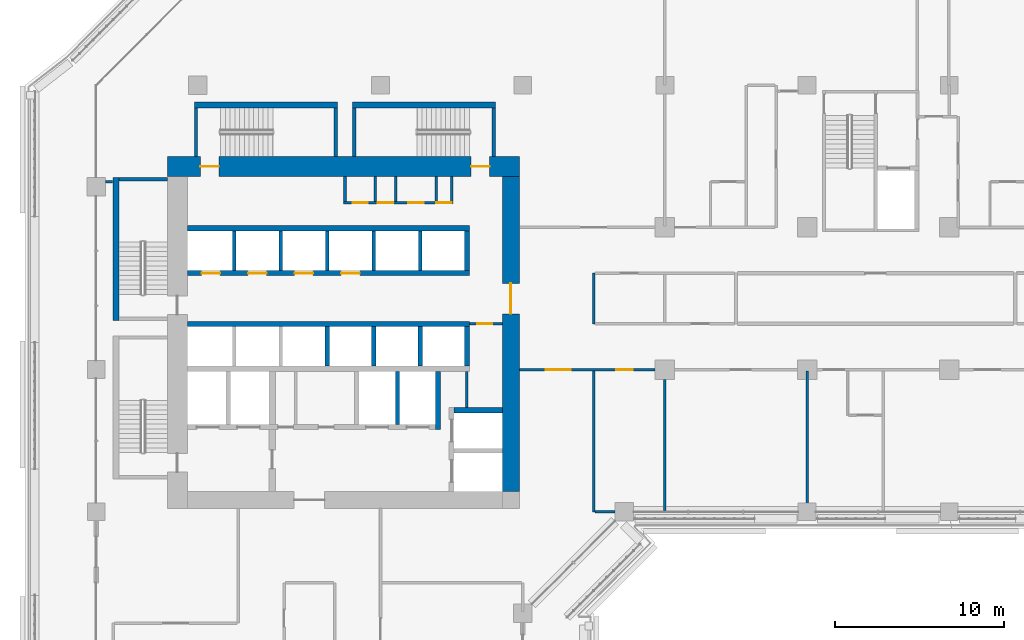
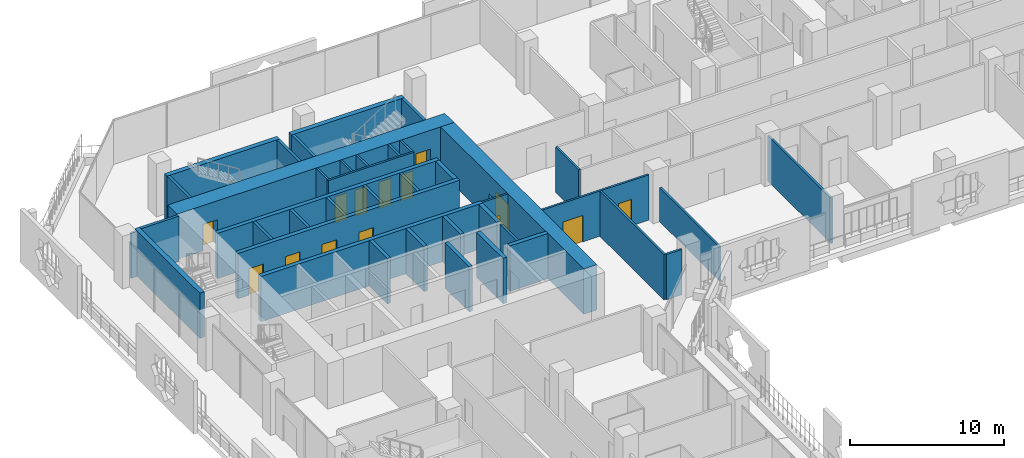
# One storey, part 14 of 25: 41 walls, 14 doors, 14 openings.
"""IFC4 building model written with IfcOpenShell, lengths in metres."""

from ifc_helpers import new_model, si_unit, direction, frame, frame_2d, origin, place, context, subcontext, project, spatial, rectangle, extrude, material, layer, layer_set, type_object, element, fill, save


model = new_model("IFC4")

# Units and contexts
model_context = context("Model", 3, precision=1e-05, world=origin(), true_north=direction((0.0, 1.0)))
body_context = subcontext(model_context, "Body", "Model", "MODEL_VIEW")
ifc_project = project(units=[si_unit("LENGTHUNIT", "METRE"), si_unit("AREAUNIT", "SQUARE_METRE"), si_unit("VOLUMEUNIT", "CUBIC_METRE"), si_unit("PLANEANGLEUNIT", "RADIAN"), si_unit("MASSUNIT", "GRAM", prefix="KILO")], contexts=[model_context])

# Site, building, storey
site_placement = place(None, origin())
site = spatial("IfcSite", under=ifc_project, at=site_placement, CompositionType="ELEMENT")
building_placement = place(site_placement, origin())
building = spatial("IfcBuilding", under=site, at=building_placement, Name="Kawkab Arch Medical Tower", CompositionType="ELEMENT")
storey_placement = place(building_placement, frame((0.0, 0.0, 128.199951171875)))
storey = spatial("IfcBuildingStorey", under=building, at=storey_placement, Name="L29", CompositionType="ELEMENT", Elevation=128.199951171875)

# Wall, opening, door
ifc_material_1 = material(Name="Concrete C60/75", Category="concrete")
ifc_layer_1 = layer(ifc_material_1, 1.0)
ifc_layer_set_1 = layer_set([ifc_layer_1], Name="Concrete C60/75")
wall_type_1 = type_object("IfcWallType", Name="Core ring wall 1000 C60/75", PredefinedType="SHEAR", material=ifc_layer_set_1)
wall_1_placement = place(storey_placement, frame((24.5, -24.0, 0.0), z_axis=(0.0, 0.0, 1.0), x_axis=(0.0, 1.0, 0.0)))
wall_1 = element("IfcWall", 1, at=wall_1_placement, inside=storey, type_object=wall_type_1, Name="L29 core wall", PredefinedType="SHEAR", context=body_context, shape_type="SweptSolid", body=[
    extrude(rectangle(XDim=18.60009765625, YDim=1.0, at=frame_2d((9.300048828125, 0.0))), origin(), (0.0, 0.0, 1.0), 3.60009765625),
])
opening_1_placement = place(wall_1_placement, frame((10.5, 0.0, 0.0)))
opening_1 = element("IfcOpeningElement", 2, at=opening_1_placement, cuts=wall_1, Name="Opening PD", PredefinedType="OPENING", context=body_context, shape_type="SweptSolid", body=[
    extrude(rectangle(XDim=1.800048828125, YDim=2.10009765625, at=frame_2d((0.89990234375, 1.050048828125))), frame((0.0, 0.510009765625, 0.0), z_axis=(0.0, -1.0, 0.0), x_axis=(1.0, 0.0, 0.0)), (0.0, 0.0, 1.0), 1.02001953125),
])
ifc_material_2 = material(Name="Hollow metal fire door leaf")
door_type_1 = type_object("IfcDoorType", Name="Core entrance doors 1800", OperationType="DOUBLE_DOOR_SINGLE_SWING", PredefinedType="DOOR", material=ifc_material_2)
door_1_placement = place(opening_1_placement, origin())
door_1 = element("IfcDoor", 3, at=door_1_placement, inside=storey, type_object=door_type_1, Name="L29 East entrance doors", OperationType="DOUBLE_DOOR_SINGLE_SWING", OverallHeight=2.10009765625, OverallWidth=1.800048828125, PredefinedType="DOOR", context=body_context, shape_type="SweptSolid", body=[
    extrude(rectangle(XDim=1.800048828125, YDim=2.10009765625, at=frame_2d((0.89990234375, 1.050048828125))), frame((0.0, 0.02490234375, 0.0), z_axis=(0.0, -1.0, 0.0), x_axis=(1.0, 0.0, 0.0)), (0.0, 0.0, 1.0), 0.050048828125),
])
fill(opening_1, door_1)

# Wall, openings, doors
ifc_material_3 = material(Name="Concrete C60/75", Category="concrete")
ifc_layer_2 = layer(ifc_material_3, 1.199951171875)
ifc_layer_set_2 = layer_set([ifc_layer_2], Name="Concrete C60/75")
wall_type_2 = type_object("IfcWallType", Name="Core ring wall 1200 C60/75", PredefinedType="SHEAR", material=ifc_layer_set_2)
wall_2_placement = place(storey_placement, frame((4.199951171875, -4.800048828125, 0.0), z_axis=(0.0, 0.0, 1.0), x_axis=(1.0, 0.0, 0.0)))
wall_2 = element("IfcWall", 4, at=wall_2_placement, inside=storey, type_object=wall_type_2, Name="L29 core wall", PredefinedType="SHEAR", context=body_context, shape_type="SweptSolid", body=[
    extrude(rectangle(XDim=20.800048828125, YDim=1.199951171875, at=frame_2d((10.39990234375, 0.0))), origin(), (0.0, 0.0, 1.0), 3.60009765625),
])
opening_2_placement = place(wall_2_placement, frame((1.949951171875, 0.0, 0.0)))
opening_2 = element("IfcOpeningElement", 5, at=opening_2_placement, cuts=wall_2, Name="Opening SD", PredefinedType="OPENING", context=body_context, shape_type="SweptSolid", body=[
    extrude(rectangle(XDim=1.10009765625, YDim=2.10009765625, at=frame_2d((0.550048828125, 1.050048828125))), frame((0.0, 0.60986328125, 0.0), z_axis=(0.0, -1.0, 0.0), x_axis=(1.0, 0.0, 0.0)), (0.0, 0.0, 1.0), 1.219970703125),
])
opening_3_placement = place(wall_2_placement, frame((17.949951171875, 0.0, 0.0)))
opening_3 = element("IfcOpeningElement", 6, at=opening_3_placement, cuts=wall_2, Name="Opening SD", PredefinedType="OPENING", context=body_context, shape_type="SweptSolid", body=[
    extrude(rectangle(XDim=1.10009765625, YDim=2.10009765625, at=frame_2d((0.550048828125, 1.050048828125))), frame((0.0, 0.60986328125, 0.0), z_axis=(0.0, -1.0, 0.0), x_axis=(1.0, 0.0, 0.0)), (0.0, 0.0, 1.0), 1.219970703125),
])
ifc_material_4 = material(Name="Hollow metal fire door leaf")
door_type_2 = type_object("IfcDoorType", Name="Exit stair door 1100", OperationType="SINGLE_SWING_LEFT", PredefinedType="DOOR", material=ifc_material_4)
door_2_placement = place(opening_2_placement, origin())
door_2 = element("IfcDoor", 7, at=door_2_placement, inside=storey, type_object=door_type_2, Name="L29 Exit stair ST3 door", OperationType="SINGLE_SWING_LEFT", OverallHeight=2.10009765625, OverallWidth=1.10009765625, PredefinedType="DOOR", context=body_context, shape_type="SweptSolid", body=[
    extrude(rectangle(XDim=1.10009765625, YDim=2.10009765625, at=frame_2d((0.550048828125, 1.050048828125))), frame((0.0, 0.02490234375, 0.0), z_axis=(0.0, -1.0, 0.0), x_axis=(1.0, 0.0, 0.0)), (0.0, 0.0, 1.0), 0.050048828125),
])
fill(opening_2, door_2)
door_3_placement = place(opening_3_placement, origin())
door_3 = element("IfcDoor", 8, at=door_3_placement, inside=storey, type_object=door_type_2, Name="L29 Exit stair ST4 door", OperationType="SINGLE_SWING_LEFT", OverallHeight=2.10009765625, OverallWidth=1.10009765625, PredefinedType="DOOR", context=body_context, shape_type="SweptSolid", body=[
    extrude(rectangle(XDim=1.10009765625, YDim=2.10009765625, at=frame_2d((0.550048828125, 1.050048828125))), frame((0.0, 0.02490234375, 0.0), z_axis=(0.0, -1.0, 0.0), x_axis=(1.0, 0.0, 0.0)), (0.0, 0.0, 1.0), 0.050048828125),
])
fill(opening_3, door_3)

# Wall
ifc_material_5 = material(Name="Gypsum board on steel studs", Category="steel")
ifc_layer_3 = layer(ifc_material_5, 0.14990234375)
ifc_layer_set_3 = layer_set([ifc_layer_3], Name="Gypsum board on steel studs")
wall_type_3 = type_object("IfcWallType", Name="Core room partition 150", PredefinedType="PARTITIONING", material=ifc_layer_set_3)
wall_3_placement = place(storey_placement, frame((21.89990234375, -19.050048828125, 0.0), z_axis=(0.0, 0.0, 1.0), x_axis=(0.0, 1.0, 0.0)))
element("IfcWall", 9, at=wall_3_placement, inside=storey, type_object=wall_type_3, Name="L29 core room partition", PredefinedType="PARTITIONING", context=body_context, shape_type="SweptSolid", body=[
    extrude(rectangle(XDim=2.150146484375, YDim=0.14990234375, at=frame_2d((1.0751953125, 0.0))), origin(), (0.0, 0.0, 1.0), 3.60009765625),
])

# Wall, opening, door
wall_4_placement = place(storey_placement, frame((22.050048828125, -14.10009765625, 0.0), z_axis=(0.0, 0.0, 1.0), x_axis=(1.0, 0.0, 0.0)))
wall_4 = element("IfcWall", 10, at=wall_4_placement, inside=storey, type_object=wall_type_3, Name="L29 core room partition", PredefinedType="PARTITIONING", context=body_context, shape_type="SweptSolid", body=[
    extrude(rectangle(XDim=1.949951171875, YDim=0.14990234375, at=frame_2d((0.97509765625, 0.0))), origin(), (0.0, 0.0, 1.0), 3.60009765625),
])
opening_4_placement = place(wall_4_placement, frame((0.449951171875, 0.0, 0.0)))
opening_4 = element("IfcOpeningElement", 11, at=opening_4_placement, cuts=wall_4, Name="Opening RD", PredefinedType="OPENING", context=body_context, shape_type="SweptSolid", body=[
    extrude(rectangle(XDim=0.89990234375, YDim=2.10009765625, at=frame_2d((0.449951171875, 1.050048828125))), frame((0.0, 0.0849609375, 0.0), z_axis=(0.0, -1.0, 0.0), x_axis=(1.0, 0.0, 0.0)), (0.0, 0.0, 1.0), 0.169921875),
])
ifc_material_6 = material(Name="Hollow metal fire door leaf")
door_type_3 = type_object("IfcDoorType", Name="Core room door 900", OperationType="SINGLE_SWING_LEFT", PredefinedType="DOOR", material=ifc_material_6)
door_4_placement = place(opening_4_placement, origin())
door_4 = element("IfcDoor", 12, at=door_4_placement, inside=storey, type_object=door_type_3, Name="L29 Ward pantry door", OperationType="SINGLE_SWING_LEFT", OverallHeight=2.10009765625, OverallWidth=0.89990234375, PredefinedType="DOOR", context=body_context, shape_type="SweptSolid", body=[
    extrude(rectangle(XDim=0.89990234375, YDim=2.10009765625, at=frame_2d((0.449951171875, 1.050048828125))), frame((0.0, 0.02490234375, 0.0), z_axis=(0.0, -1.0, 0.0), x_axis=(1.0, 0.0, 0.0)), (0.0, 0.0, 1.0), 0.050048828125),
])
fill(opening_4, door_4)

# Wall, openings, doors
wall_5_placement = place(storey_placement, frame((14.625, -6.949951171875, 0.0), z_axis=(0.0, 0.0, 1.0), x_axis=(1.0, 0.0, 0.0)))
wall_5 = element("IfcWall", 13, at=wall_5_placement, inside=storey, type_object=wall_type_3, Name="L29 core room partition", PredefinedType="PARTITIONING", context=body_context, shape_type="SweptSolid", body=[
    extrude(rectangle(XDim=6.449951171875, YDim=0.14990234375, at=frame_2d((3.22509765625, 0.0))), origin(), (0.0, 0.0, 1.0), 3.60009765625),
])
opening_5_placement = place(wall_5_placement, frame((0.52490234375, 0.0, 0.0)))
opening_5 = element("IfcOpeningElement", 14, at=opening_5_placement, cuts=wall_5, Name="Opening RD", PredefinedType="OPENING", context=body_context, shape_type="SweptSolid", body=[
    extrude(rectangle(XDim=0.89990234375, YDim=2.10009765625, at=frame_2d((0.449951171875, 1.050048828125))), frame((0.0, 0.0849609375, 0.0), z_axis=(0.0, -1.0, 0.0), x_axis=(1.0, 0.0, 0.0)), (0.0, 0.0, 1.0), 0.169921875),
])
opening_6_placement = place(wall_5_placement, frame((2.02490234375, 0.0, 0.0)))
opening_6 = element("IfcOpeningElement", 15, at=opening_6_placement, cuts=wall_5, Name="Opening RD", PredefinedType="OPENING", context=body_context, shape_type="SweptSolid", body=[
    extrude(rectangle(XDim=0.89990234375, YDim=2.10009765625, at=frame_2d((0.449951171875, 1.050048828125))), frame((0.0, 0.0849609375, 0.0), z_axis=(0.0, -1.0, 0.0), x_axis=(1.0, 0.0, 0.0)), (0.0, 0.0, 1.0), 0.169921875),
])
opening_7_placement = place(wall_5_placement, frame((3.824951171875, 0.0, 0.0)))
opening_7 = element("IfcOpeningElement", 16, at=opening_7_placement, cuts=wall_5, Name="Opening RD", PredefinedType="OPENING", context=body_context, shape_type="SweptSolid", body=[
    extrude(rectangle(XDim=0.89990234375, YDim=2.10009765625, at=frame_2d((0.449951171875, 1.050048828125))), frame((0.0, 0.0849609375, 0.0), z_axis=(0.0, -1.0, 0.0), x_axis=(1.0, 0.0, 0.0)), (0.0, 0.0, 1.0), 0.169921875),
])
opening_8_placement = place(wall_5_placement, frame((5.47509765625, 0.0, 0.0)))
opening_8 = element("IfcOpeningElement", 17, at=opening_8_placement, cuts=wall_5, Name="Opening RD", PredefinedType="OPENING", context=body_context, shape_type="SweptSolid", body=[
    extrude(rectangle(XDim=0.89990234375, YDim=2.10009765625, at=frame_2d((0.449951171875, 1.050048828125))), frame((0.0, 0.0849609375, 0.0), z_axis=(0.0, -1.0, 0.0), x_axis=(1.0, 0.0, 0.0)), (0.0, 0.0, 1.0), 0.169921875),
])
door_5_placement = place(opening_5_placement, origin())
door_5 = element("IfcDoor", 18, at=door_5_placement, inside=storey, type_object=door_type_3, Name="L29 Data room door", OperationType="SINGLE_SWING_LEFT", OverallHeight=2.10009765625, OverallWidth=0.89990234375, PredefinedType="DOOR", context=body_context, shape_type="SweptSolid", body=[
    extrude(rectangle(XDim=0.89990234375, YDim=2.10009765625, at=frame_2d((0.449951171875, 1.050048828125))), frame((0.0, 0.02490234375, 0.0), z_axis=(0.0, -1.0, 0.0), x_axis=(1.0, 0.0, 0.0)), (0.0, 0.0, 1.0), 0.050048828125),
])
fill(opening_5, door_5)
door_6_placement = place(opening_6_placement, origin())
door_6 = element("IfcDoor", 19, at=door_6_placement, inside=storey, type_object=door_type_3, Name="L29 Electrical riser room door", OperationType="SINGLE_SWING_LEFT", OverallHeight=2.10009765625, OverallWidth=0.89990234375, PredefinedType="DOOR", context=body_context, shape_type="SweptSolid", body=[
    extrude(rectangle(XDim=0.89990234375, YDim=2.10009765625, at=frame_2d((0.449951171875, 1.050048828125))), frame((0.0, 0.02490234375, 0.0), z_axis=(0.0, -1.0, 0.0), x_axis=(1.0, 0.0, 0.0)), (0.0, 0.0, 1.0), 0.050048828125),
])
fill(opening_6, door_6)
door_7_placement = place(opening_7_placement, origin())
door_7 = element("IfcDoor", 20, at=door_7_placement, inside=storey, type_object=door_type_3, Name="L29 Equipment store door", OperationType="SINGLE_SWING_LEFT", OverallHeight=2.10009765625, OverallWidth=0.89990234375, PredefinedType="DOOR", context=body_context, shape_type="SweptSolid", body=[
    extrude(rectangle(XDim=0.89990234375, YDim=2.10009765625, at=frame_2d((0.449951171875, 1.050048828125))), frame((0.0, 0.02490234375, 0.0), z_axis=(0.0, -1.0, 0.0), x_axis=(1.0, 0.0, 0.0)), (0.0, 0.0, 1.0), 0.050048828125),
])
fill(opening_7, door_7)
door_8_placement = place(opening_8_placement, origin())
door_8 = element("IfcDoor", 21, at=door_8_placement, inside=storey, type_object=door_type_3, Name="L29 General store door", OperationType="SINGLE_SWING_LEFT", OverallHeight=2.10009765625, OverallWidth=0.89990234375, PredefinedType="DOOR", context=body_context, shape_type="SweptSolid", body=[
    extrude(rectangle(XDim=0.89990234375, YDim=2.10009765625, at=frame_2d((0.449951171875, 1.050048828125))), frame((0.0, 0.02490234375, 0.0), z_axis=(0.0, -1.0, 0.0), x_axis=(1.0, 0.0, 0.0)), (0.0, 0.0, 1.0), 0.050048828125),
])
fill(opening_8, door_8)

# Walls
for number, where, z_axis, x_axis, name in (
    (22, (14.699951171875, -6.875, 0.0), (0.0, 0.0, 1.0), (0.0, 1.0, 0.0), "L29 core room partition"),
    (23, (16.5, -6.875, 0.0), (0.0, 0.0, 1.0), (0.0, 1.0, 0.0), "L29 core room partition"),
    (24, (17.699951171875, -6.875, 0.0), (0.0, 0.0, 1.0), (0.0, 1.0, 0.0), "L29 core room partition"),
    (25, (20.10009765625, -6.875, 0.0), (0.0, 0.0, 1.0), (0.0, 1.0, 0.0), "L29 core room partition"),
    (26, (21.0, -6.875, 0.0), (0.0, 0.0, 1.0), (0.0, 1.0, 0.0), "L29 core room partition"),
):
    element("IfcWall", number, at=place(storey_placement, frame(where, z_axis=z_axis, x_axis=x_axis)), inside=storey, type_object=wall_type_3, Name=name, PredefinedType="PARTITIONING", context=body_context, shape_type="SweptSolid", body=[
        extrude(rectangle(XDim=1.47509765625, YDim=0.14990234375, at=frame_2d((0.737548828125, 0.0))), origin(), (0.0, 0.0, 1.0), 3.60009765625),
    ])
ifc_material_7 = material(Name="Concrete C60/75", Category="concrete")
ifc_layer_4 = layer(ifc_material_7, 0.25)
ifc_layer_set_4 = layer_set([ifc_layer_4], Name="Concrete C60/75")
wall_type_4 = type_object("IfcWallType", Name="Core shear wall 250 C60/75", PredefinedType="SHEAR", material=ifc_layer_set_4)
wall_6_placement = place(storey_placement, frame((17.800048828125, -20.050048828125, 0.0), z_axis=(0.0, 0.0, 1.0), x_axis=(0.0, 1.0, 0.0)))
element("IfcWall", 27, at=wall_6_placement, inside=storey, type_object=wall_type_4, Name="L29 core shear wall", PredefinedType="SHEAR", context=body_context, shape_type="SweptSolid", body=[
    extrude(rectangle(XDim=3.150146484375, YDim=0.25, at=frame_2d((1.5751953125, 0.0))), origin(), (0.0, 0.0, 1.0), 3.60009765625),
])
for number, where, z_axis, x_axis, name in (
    (28, (13.64990234375, -16.60009765625, 0.0), (0.0, 0.0, 1.0), (0.0, 1.0, 0.0), "L29 core shear wall"),
    (29, (16.39990234375, -16.60009765625, 0.0), (0.0, 0.0, 1.0), (0.0, 1.0, 0.0), "L29 core shear wall"),
    (30, (19.14990234375, -16.60009765625, 0.0), (0.0, 0.0, 1.0), (0.0, 1.0, 0.0), "L29 core shear wall"),
):
    element("IfcWall", number, at=place(storey_placement, frame(where, z_axis=z_axis, x_axis=x_axis)), inside=storey, type_object=wall_type_4, Name=name, PredefinedType="SHEAR", context=body_context, shape_type="SweptSolid", body=[
        extrude(rectangle(XDim=2.35009765625, YDim=0.25, at=frame_2d((1.175048828125, 0.0))), origin(), (0.0, 0.0, 1.0), 3.60009765625),
    ])
ifc_material_8 = material(Name="Concrete C60/75", Category="concrete")
ifc_layer_5 = layer(ifc_material_8, 0.300048828125)
ifc_layer_set_5 = layer_set([ifc_layer_5], Name="Concrete C60/75")
wall_type_5 = type_object("IfcWallType", Name="Core shear wall 300 C60/75", PredefinedType="SHEAR", material=ifc_layer_set_5)
wall_7_placement = place(storey_placement, frame((5.39990234375, -8.449951171875, 0.0), z_axis=(0.0, 0.0, 1.0), x_axis=(1.0, 0.0, 0.0)))
element("IfcWall", 31, at=wall_7_placement, inside=storey, type_object=wall_type_5, Name="L29 core shear wall", PredefinedType="SHEAR", context=body_context, shape_type="SweptSolid", body=[
    extrude(rectangle(XDim=16.650146484375, YDim=0.300048828125, at=frame_2d((8.3251953125, 0.0))), origin(), (0.0, 0.0, 1.0), 3.60009765625),
])

# Wall, openings, doors
wall_8_placement = place(storey_placement, frame((5.39990234375, -11.10009765625, 0.0), z_axis=(0.0, 0.0, 1.0), x_axis=(1.0, 0.0, 0.0)))
wall_8 = element("IfcWall", 32, at=wall_8_placement, inside=storey, type_object=wall_type_5, Name="L29 core shear wall", PredefinedType="SHEAR", context=body_context, shape_type="SweptSolid", body=[
    extrude(rectangle(XDim=16.650146484375, YDim=0.300048828125, at=frame_2d((8.3251953125, 0.0))), origin(), (0.0, 0.0, 1.0), 3.60009765625),
])
opening_9_placement = place(wall_8_placement, frame((0.824951171875, 0.0, 0.0)))
opening_9 = element("IfcOpeningElement", 33, at=opening_9_placement, cuts=wall_8, Name="Opening LD1", PredefinedType="OPENING", context=body_context, shape_type="SweptSolid", body=[
    extrude(rectangle(XDim=1.10009765625, YDim=2.10009765625, at=frame_2d((0.550048828125, 1.050048828125))), frame((0.0, 0.159912109375, 0.0), z_axis=(0.0, -1.0, 0.0), x_axis=(1.0, 0.0, 0.0)), (0.0, 0.0, 1.0), 0.320068359375),
])
opening_10_placement = place(wall_8_placement, frame((3.574951171875, 0.0, 0.0)))
opening_10 = element("IfcOpeningElement", 34, at=opening_10_placement, cuts=wall_8, Name="Opening LD1", PredefinedType="OPENING", context=body_context, shape_type="SweptSolid", body=[
    extrude(rectangle(XDim=1.10009765625, YDim=2.10009765625, at=frame_2d((0.550048828125, 1.050048828125))), frame((0.0, 0.159912109375, 0.0), z_axis=(0.0, -1.0, 0.0), x_axis=(1.0, 0.0, 0.0)), (0.0, 0.0, 1.0), 0.320068359375),
])
opening_11_placement = place(wall_8_placement, frame((6.324951171875, 0.0, 0.0)))
opening_11 = element("IfcOpeningElement", 35, at=opening_11_placement, cuts=wall_8, Name="Opening LD1", PredefinedType="OPENING", context=body_context, shape_type="SweptSolid", body=[
    extrude(rectangle(XDim=1.10009765625, YDim=2.10009765625, at=frame_2d((0.550048828125, 1.050048828125))), frame((0.0, 0.159912109375, 0.0), z_axis=(0.0, -1.0, 0.0), x_axis=(1.0, 0.0, 0.0)), (0.0, 0.0, 1.0), 0.320068359375),
])
opening_12_placement = place(wall_8_placement, frame((9.074951171875, 0.0, 0.0)))
opening_12 = element("IfcOpeningElement", 36, at=opening_12_placement, cuts=wall_8, Name="Opening LD1", PredefinedType="OPENING", context=body_context, shape_type="SweptSolid", body=[
    extrude(rectangle(XDim=1.10009765625, YDim=2.10009765625, at=frame_2d((0.550048828125, 1.050048828125))), frame((0.0, 0.159912109375, 0.0), z_axis=(0.0, -1.0, 0.0), x_axis=(1.0, 0.0, 0.0)), (0.0, 0.0, 1.0), 0.320068359375),
])
ifc_material_9 = material(Name="Stainless steel lift door leaf", Category="steel")
door_type_4 = type_object("IfcDoorType", Name="Lift landing door 1100", OperationType="DOUBLE_DOOR_SLIDING", PredefinedType="DOOR", material=ifc_material_9)
door_9_placement = place(opening_9_placement, origin())
door_9 = element("IfcDoor", 37, at=door_9_placement, inside=storey, type_object=door_type_4, Name="L29 Lift landing door LP1", OperationType="DOUBLE_DOOR_SLIDING", OverallHeight=2.10009765625, OverallWidth=1.10009765625, PredefinedType="DOOR", context=body_context, shape_type="SweptSolid", body=[
    extrude(rectangle(XDim=1.10009765625, YDim=2.10009765625, at=frame_2d((0.550048828125, 1.050048828125))), frame((0.0, 0.02490234375, 0.0), z_axis=(0.0, -1.0, 0.0), x_axis=(1.0, 0.0, 0.0)), (0.0, 0.0, 1.0), 0.050048828125),
])
fill(opening_9, door_9)
door_10_placement = place(opening_10_placement, origin())
door_10 = element("IfcDoor", 38, at=door_10_placement, inside=storey, type_object=door_type_4, Name="L29 Lift landing door LP2", OperationType="DOUBLE_DOOR_SLIDING", OverallHeight=2.10009765625, OverallWidth=1.10009765625, PredefinedType="DOOR", context=body_context, shape_type="SweptSolid", body=[
    extrude(rectangle(XDim=1.10009765625, YDim=2.10009765625, at=frame_2d((0.550048828125, 1.050048828125))), frame((0.0, 0.02490234375, 0.0), z_axis=(0.0, -1.0, 0.0), x_axis=(1.0, 0.0, 0.0)), (0.0, 0.0, 1.0), 0.050048828125),
])
fill(opening_10, door_10)
door_11_placement = place(opening_11_placement, origin())
door_11 = element("IfcDoor", 39, at=door_11_placement, inside=storey, type_object=door_type_4, Name="L29 Lift landing door LP3", OperationType="DOUBLE_DOOR_SLIDING", OverallHeight=2.10009765625, OverallWidth=1.10009765625, PredefinedType="DOOR", context=body_context, shape_type="SweptSolid", body=[
    extrude(rectangle(XDim=1.10009765625, YDim=2.10009765625, at=frame_2d((0.550048828125, 1.050048828125))), frame((0.0, 0.02490234375, 0.0), z_axis=(0.0, -1.0, 0.0), x_axis=(1.0, 0.0, 0.0)), (0.0, 0.0, 1.0), 0.050048828125),
])
fill(opening_11, door_11)
door_12_placement = place(opening_12_placement, origin())
door_12 = element("IfcDoor", 40, at=door_12_placement, inside=storey, type_object=door_type_4, Name="L29 Lift landing door LP4", OperationType="DOUBLE_DOOR_SLIDING", OverallHeight=2.10009765625, OverallWidth=1.10009765625, PredefinedType="DOOR", context=body_context, shape_type="SweptSolid", body=[
    extrude(rectangle(XDim=1.10009765625, YDim=2.10009765625, at=frame_2d((0.550048828125, 1.050048828125))), frame((0.0, 0.02490234375, 0.0), z_axis=(0.0, -1.0, 0.0), x_axis=(1.0, 0.0, 0.0)), (0.0, 0.0, 1.0), 0.050048828125),
])
fill(opening_12, door_12)

# Walls
wall_9_placement = place(storey_placement, frame((5.39990234375, -14.10009765625, 0.0), z_axis=(0.0, 0.0, 1.0), x_axis=(1.0, 0.0, 0.0)))
element("IfcWall", 41, at=wall_9_placement, inside=storey, type_object=wall_type_5, Name="L29 core shear wall", PredefinedType="SHEAR", context=body_context, shape_type="SweptSolid", body=[
    extrude(rectangle(XDim=16.650146484375, YDim=0.300048828125, at=frame_2d((8.3251953125, 0.0))), origin(), (0.0, 0.0, 1.0), 3.60009765625),
])
wall_10_placement = place(storey_placement, frame((20.199951171875, -20.35009765625, 0.0), z_axis=(0.0, 0.0, 1.0), x_axis=(0.0, 1.0, 0.0)))
element("IfcWall", 42, at=wall_10_placement, inside=storey, type_object=wall_type_5, Name="L29 core shear wall", PredefinedType="SHEAR", context=body_context, shape_type="SweptSolid", body=[
    extrude(rectangle(XDim=3.4501953125, YDim=0.300048828125, at=frame_2d((1.72509765625, 0.0))), origin(), (0.0, 0.0, 1.0), 3.60009765625),
])
wall_11_placement = place(storey_placement, frame((21.89990234375, -10.949951171875, 0.0), z_axis=(0.0, 0.0, 1.0), x_axis=(0.0, 1.0, 0.0)))
element("IfcWall", 43, at=wall_11_placement, inside=storey, type_object=wall_type_5, Name="L29 core shear wall", PredefinedType="SHEAR", context=body_context, shape_type="SweptSolid", body=[
    extrude(rectangle(XDim=2.349853515625, YDim=0.300048828125, at=frame_2d((1.1748046875, 0.0))), origin(), (0.0, 0.0, 1.0), 3.60009765625),
])
wall_12_placement = place(storey_placement, frame((21.89990234375, -16.60009765625, 0.0), z_axis=(0.0, 0.0, 1.0), x_axis=(0.0, 1.0, 0.0)))
element("IfcWall", 44, at=wall_12_placement, inside=storey, type_object=wall_type_5, Name="L29 core shear wall", PredefinedType="SHEAR", context=body_context, shape_type="SweptSolid", body=[
    extrude(rectangle(XDim=2.35009765625, YDim=0.300048828125, at=frame_2d((1.175048828125, 0.0))), origin(), (0.0, 0.0, 1.0), 3.60009765625),
])
wall_13_placement = place(storey_placement, frame((21.14990234375, -19.199951171875, 0.0), z_axis=(0.0, 0.0, 1.0), x_axis=(1.0, 0.0, 0.0)))
element("IfcWall", 45, at=wall_13_placement, inside=storey, type_object=wall_type_5, Name="L29 core shear wall", PredefinedType="SHEAR", context=body_context, shape_type="SweptSolid", body=[
    extrude(rectangle(XDim=2.85009765625, YDim=0.300048828125, at=frame_2d((1.425048828125, 0.0))), origin(), (0.0, 0.0, 1.0), 3.60009765625),
])
ifc_material_10 = material(Name="Dense concrete blockwork", Category="masonry")
ifc_layer_6 = layer(ifc_material_10, 0.199951171875)
ifc_layer_set_6 = layer_set([ifc_layer_6], Name="Dense concrete blockwork")
wall_type_6 = type_object("IfcWallType", Name="Lift shaft partition 200", PredefinedType="PARTITIONING", material=ifc_layer_set_6)
for number, where, z_axis, x_axis, name in (
    (46, (8.14990234375, -10.949951171875, 0.0), (0.0, 0.0, 1.0), (0.0, 1.0, 0.0), "L29 lift shaft partition"),
    (47, (10.89990234375, -10.949951171875, 0.0), (0.0, 0.0, 1.0), (0.0, 1.0, 0.0), "L29 lift shaft partition"),
    (48, (13.64990234375, -10.949951171875, 0.0), (0.0, 0.0, 1.0), (0.0, 1.0, 0.0), "L29 lift shaft partition"),
    (49, (16.39990234375, -10.949951171875, 0.0), (0.0, 0.0, 1.0), (0.0, 1.0, 0.0), "L29 lift shaft partition"),
    (50, (19.14990234375, -10.949951171875, 0.0), (0.0, 0.0, 1.0), (0.0, 1.0, 0.0), "L29 lift shaft partition"),
):
    element("IfcWall", number, at=place(storey_placement, frame(where, z_axis=z_axis, x_axis=x_axis)), inside=storey, type_object=wall_type_6, Name=name, PredefinedType="PARTITIONING", context=body_context, shape_type="SweptSolid", body=[
        extrude(rectangle(XDim=2.349853515625, YDim=0.199951171875, at=frame_2d((1.1748046875, 0.0))), origin(), (0.0, 0.0, 1.0), 3.60009765625),
    ])
ifc_material_11 = material(Name="Gypsum board partition on steel studs, mineral wool", Category="steel")
ifc_layer_7 = layer(ifc_material_11, 0.14990234375)
ifc_layer_set_7 = layer_set([ifc_layer_7], Name="Gypsum board partition on steel studs, mineral wool")
wall_type_7 = type_object("IfcWallType", Name="Partition 150", PredefinedType="PARTITIONING", material=ifc_layer_set_7)
wall_14_placement = place(storey_placement, frame((29.47509765625, -25.199951171875, 0.0), z_axis=(0.0, 0.0, 1.0), x_axis=(1.0, 0.0, 0.0)))
element("IfcWall", 51, at=wall_14_placement, inside=storey, type_object=wall_type_7, Name="Partition 150 w035", PredefinedType="PARTITIONING", context=body_context, shape_type="SweptSolid", body=[
    extrude(rectangle(XDim=1.1748046875, YDim=0.14990234375, at=frame_2d((0.58740234375, 0.0))), origin(), (0.0, 0.0, 1.0), 3.60009765625),
])

# Wall, openings, doors
wall_15_placement = place(storey_placement, frame((25.0, -16.800048828125, 0.0), z_axis=(0.0, 0.0, 1.0), x_axis=(1.0, 0.0, 0.0)))
wall_15 = element("IfcWall", 52, at=wall_15_placement, inside=storey, type_object=wall_type_7, Name="Partition 150 w036", PredefinedType="PARTITIONING", context=body_context, shape_type="SweptSolid", body=[
    extrude(rectangle(XDim=8.02490234375, YDim=0.14990234375, at=frame_2d((4.012451171875, 0.0))), origin(), (0.0, 0.0, 1.0), 3.60009765625),
])
opening_13_placement = place(wall_15_placement, frame((1.550048828125, 0.0, 0.0)))
opening_13 = element("IfcOpeningElement", 53, at=opening_13_placement, cuts=wall_15, Name="Opening W29-001", PredefinedType="OPENING", context=body_context, shape_type="SweptSolid", body=[
    extrude(rectangle(XDim=1.5, YDim=2.10009765625, at=frame_2d((0.75, 1.050048828125))), frame((0.0, 0.0849609375, 0.0), z_axis=(0.0, -1.0, 0.0), x_axis=(1.0, 0.0, 0.0)), (0.0, 0.0, 1.0), 0.169921875),
])
opening_14_placement = place(wall_15_placement, frame((5.7119140625, 0.0, 0.0)))
opening_14 = element("IfcOpeningElement", 54, at=opening_14_placement, cuts=wall_15, Name="Opening W29-025", PredefinedType="OPENING", context=body_context, shape_type="SweptSolid", body=[
    extrude(rectangle(XDim=1.0, YDim=2.10009765625, at=frame_2d((0.5, 1.050048828125))), frame((0.0, 0.0849609375, 0.0), z_axis=(0.0, -1.0, 0.0), x_axis=(1.0, 0.0, 0.0)), (0.0, 0.0, 1.0), 0.169921875),
])
ifc_material_12 = material(Name="Hollow metal door leaf")
door_type_5 = type_object("IfcDoorType", Name="Double door 1500x2100 FD30S", OperationType="NOTDEFINED", PredefinedType="DOOR", material=ifc_material_12)
door_13_placement = place(opening_13_placement, origin())
door_13 = element("IfcDoor", 55, at=door_13_placement, inside=storey, type_object=door_type_5, Name="Door W29-001", OperationType="DOUBLE_DOOR_SINGLE_SWING", OverallHeight=2.10009765625, OverallWidth=1.5, PredefinedType="DOOR", context=body_context, shape_type="SweptSolid", body=[
    extrude(rectangle(XDim=1.5, YDim=2.10009765625, at=frame_2d((0.75, 1.050048828125))), frame((0.0, 0.02490234375, 0.0), z_axis=(0.0, -1.0, 0.0), x_axis=(1.0, 0.0, 0.0)), (0.0, 0.0, 1.0), 0.050048828125),
])
fill(opening_13, door_13)
ifc_material_13 = material(Name="Timber door leaf", Category="wood")
door_type_6 = type_object("IfcDoorType", Name="Single door 1000x2100", OperationType="NOTDEFINED", PredefinedType="DOOR", material=ifc_material_13)
door_14_placement = place(opening_14_placement, origin())
door_14 = element("IfcDoor", 56, at=door_14_placement, inside=storey, type_object=door_type_6, Name="Door W29-025", OperationType="SINGLE_SWING_LEFT", OverallHeight=2.10009765625, OverallWidth=1.0, PredefinedType="DOOR", context=body_context, shape_type="SweptSolid", body=[
    extrude(rectangle(XDim=1.0, YDim=2.10009765625, at=frame_2d((0.5, 1.050048828125))), frame((0.0, 0.02490234375, 0.0), z_axis=(0.0, -1.0, 0.0), x_axis=(1.0, 0.0, 0.0)), (0.0, 0.0, 1.0), 0.050048828125),
])
fill(opening_14, door_14)

# Walls
wall_16_placement = place(storey_placement, frame((0.550048828125, -5.699951171875, 0.0), z_axis=(0.0, 0.0, 1.0), x_axis=(1.0, 0.0, 0.0)))
element("IfcWall", 57, at=wall_16_placement, inside=storey, type_object=wall_type_7, Name="Partition 150 w044", PredefinedType="PARTITIONING", context=body_context, shape_type="SweptSolid", body=[
    extrude(rectangle(XDim=0.419921875, YDim=0.14990234375, at=frame_2d((0.2099609375, 0.0))), origin(), (0.0, 0.0, 1.0), 3.60009765625),
])
wall_17_placement = place(storey_placement, frame((29.39990234375, -25.199951171875, 0.0), z_axis=(0.0, 0.0, 1.0), x_axis=(0.0, 1.0, 0.0)))
element("IfcWall", 58, at=wall_17_placement, inside=storey, type_object=wall_type_7, Name="Partition 150 w059", PredefinedType="PARTITIONING", context=body_context, shape_type="SweptSolid", body=[
    extrude(rectangle(XDim=8.324951171875, YDim=0.14990234375, at=frame_2d((4.16259765625, 0.0))), origin(), (0.0, 0.0, 1.0), 3.60009765625),
])
wall_18_placement = place(storey_placement, frame((29.39990234375, -14.10009765625, 0.0), z_axis=(0.0, 0.0, 1.0), x_axis=(0.0, 1.0, 0.0)))
element("IfcWall", 59, at=wall_18_placement, inside=storey, type_object=wall_type_7, Name="Partition 150 w060", PredefinedType="PARTITIONING", context=body_context, shape_type="SweptSolid", body=[
    extrude(rectangle(XDim=3.0, YDim=0.14990234375, at=frame_2d((1.5, 0.0))), origin(), (0.0, 0.0, 1.0), 3.60009765625),
])
wall_19_placement = place(storey_placement, frame((33.60009765625, -25.1201171875, 0.0), z_axis=(0.0, 0.0, 1.0), x_axis=(0.0, 1.0, 0.0)))
element("IfcWall", 60, at=wall_19_placement, inside=storey, type_object=wall_type_7, Name="Partition 150 w062", PredefinedType="PARTITIONING", context=body_context, shape_type="SweptSolid", body=[
    extrude(rectangle(XDim=7.7451171875, YDim=0.14990234375, at=frame_2d((3.87255859375, 0.0))), origin(), (0.0, 0.0, 1.0), 2.699951171875),
])
wall_20_placement = place(storey_placement, frame((42.0, -25.1201171875, 0.0), z_axis=(0.0, 0.0, 1.0), x_axis=(0.0, 1.0, 0.0)))
element("IfcWall", 61, at=wall_20_placement, inside=storey, type_object=wall_type_7, Name="Partition 150 w068", PredefinedType="PARTITIONING", context=body_context, shape_type="SweptSolid", body=[
    extrude(rectangle(XDim=8.2451171875, YDim=0.14990234375, at=frame_2d((4.12255859375, 0.0))), origin(), (0.0, 0.0, 1.0), 3.60009765625),
])
ifc_material_14 = material(Name="Concrete C50/60", Category="concrete")
ifc_layer_8 = layer(ifc_material_14, 0.199951171875)
ifc_layer_set_8 = layer_set([ifc_layer_8], Name="Concrete C50/60")
wall_type_8 = type_object("IfcWallType", Name="Stair enclosure wall 200 C50/60", PredefinedType="SHEAR", material=ifc_layer_set_8)
for number, where, z_axis, x_axis, name in (
    (62, (1.35009765625, -5.550048828125, 0.0), (0.0, 0.0, 1.0), (1.0, 0.0, 0.0), "L29 stair enclosure wall"),
    (63, (5.89990234375, -4.199951171875, 0.0), (0.0, 0.0, 1.0), (0.0, 1.0, 0.0), "L29 stair enclosure wall"),
    (64, (14.14990234375, -4.199951171875, 0.0), (0.0, 0.0, 1.0), (0.0, 1.0, 0.0), "L29 stair enclosure wall"),
    (65, (15.25, -4.199951171875, 0.0), (0.0, 0.0, 1.0), (0.0, 1.0, 0.0), "L29 stair enclosure wall"),
    (66, (23.5, -4.199951171875, 0.0), (0.0, 0.0, 1.0), (0.0, 1.0, 0.0), "L29 stair enclosure wall"),
):
    element("IfcWall", number, at=place(storey_placement, frame(where, z_axis=z_axis, x_axis=x_axis)), inside=storey, type_object=wall_type_8, Name=name, PredefinedType="SHEAR", context=body_context, shape_type="SweptSolid", body=[
        extrude(rectangle(XDim=2.849853515625, YDim=0.199951171875, at=frame_2d((1.4248046875, 0.0))), origin(), (0.0, 0.0, 1.0), 3.60009765625),
    ])
ifc_material_15 = material(Name="Concrete C50/60", Category="concrete")
ifc_layer_9 = layer(ifc_material_15, 0.35009765625)
ifc_layer_set_9 = layer_set([ifc_layer_9], Name="Concrete C50/60")
wall_type_9 = type_object("IfcWallType", Name="Stair enclosure wall 350 C50/60", PredefinedType="SHEAR", material=ifc_layer_set_9)
for number, where, z_axis, x_axis, name in (
    (67, (1.175048828125, -13.89990234375, 0.0), (0.0, 0.0, 1.0), (0.0, 1.0, 0.0), "L29 stair enclosure wall"),
    (68, (5.800048828125, -1.175048828125, 0.0), (0.0, 0.0, 1.0), (1.0, 0.0, 0.0), "L29 stair enclosure wall"),
):
    element("IfcWall", number, at=place(storey_placement, frame(where, z_axis=z_axis, x_axis=x_axis)), inside=storey, type_object=wall_type_9, Name=name, PredefinedType="SHEAR", context=body_context, shape_type="SweptSolid", body=[
        extrude(rectangle(XDim=8.449951171875, YDim=0.35009765625, at=frame_2d((4.22509765625, 0.0))), origin(), (0.0, 0.0, 1.0), 3.60009765625),
    ])
wall_21_placement = place(storey_placement, frame((15.14990234375, -1.175048828125, 0.0), z_axis=(0.0, 0.0, 1.0), x_axis=(1.0, 0.0, 0.0)))
element("IfcWall", 69, at=wall_21_placement, inside=storey, type_object=wall_type_9, Name="L29 stair enclosure wall", PredefinedType="SHEAR", context=body_context, shape_type="SweptSolid", body=[
    extrude(rectangle(XDim=8.4501953125, YDim=0.35009765625, at=frame_2d((4.22509765625, 0.0))), origin(), (0.0, 0.0, 1.0), 3.60009765625),
])

save(model, "model.ifc")
